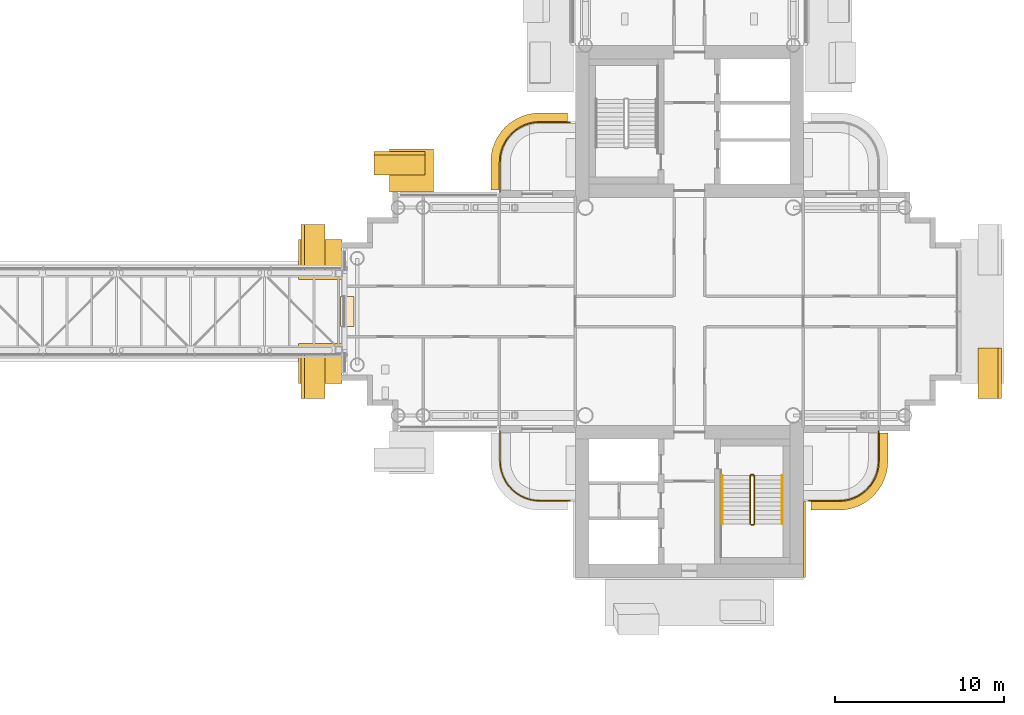
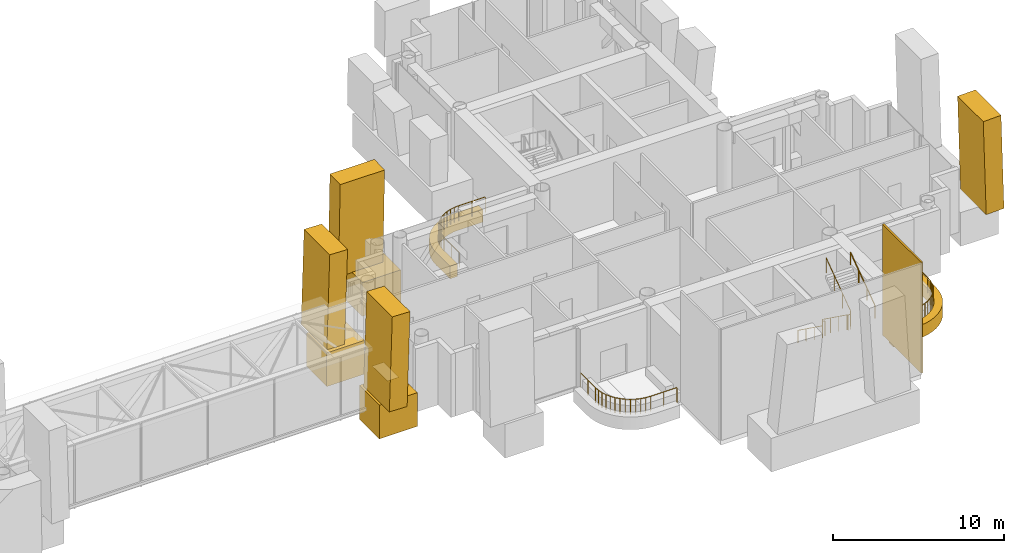
# One storey, part 24 of 26: 11 coverings, 6 railings.
"""IFC4 building model written with IfcOpenShell, lengths in metres."""

from ifc_helpers import new_model, si_unit, direction, frame, origin, origin_2d, place, context, subcontext, project, spatial, polyline, rectangle, circle, outline, extrude, material, layer, layer_set, material_profile, profile_set, type_object, element, save


model = new_model("IFC4")

# Units and contexts
model_context = context("Model", 3, precision=1e-05, world=origin(), true_north=direction((0.0, 1.0)))
body_context = subcontext(model_context, "Body", "Model", "MODEL_VIEW")
ifc_project = project(units=[si_unit("LENGTHUNIT", "METRE"), si_unit("AREAUNIT", "SQUARE_METRE"), si_unit("VOLUMEUNIT", "CUBIC_METRE"), si_unit("PLANEANGLEUNIT", "RADIAN"), si_unit("MASSUNIT", "GRAM", prefix="KILO")], contexts=[model_context])

# Site, building, storey
site_placement = place(None, origin())
site = spatial("IfcSite", under=ifc_project, at=site_placement, CompositionType="ELEMENT")
building_placement = place(site_placement, origin())
building = spatial("IfcBuilding", under=site, at=building_placement, Name="Ipe Terrace Towers", CompositionType="ELEMENT")
storey_placement = place(building_placement, frame((0.0, 0.0, 181.300048828125)))
storey = spatial("IfcBuildingStorey", under=building, at=storey_placement, Name="L50", CompositionType="ELEMENT", Elevation=181.300048828125)

# Railings
ifc_material_1 = material(Name="Stainless steel S316", Category="steel")
railing_type_1 = type_object("IfcRailingType", Name="GUARD 1100", PredefinedType="BALUSTRADE", material=ifc_material_1)
railing_1_placement = place(storey_placement, frame((24.800048828125, -7.070068359375, -0.02001953125)))
element("IfcRailing", 1, at=railing_1_placement, inside=storey, type_object=railing_type_1, Name="guard", PredefinedType="BALUSTRADE", context=body_context, shape_type="SweptSolid", body=[
    extrude(circle(Radius=0.02392578125, at=origin_2d()), frame((0.0, 0.0, 1.076171875), z_axis=(0.0, -1.0, 0.0), x_axis=(1.0, 0.0, 0.0)), (0.0, 0.0, 1.0), 1.77783203125),
    extrude(circle(Radius=0.02392578125, at=origin_2d()), frame((0.0, -1.77783203125, 1.076171875), z_axis=(0.064635492184, -0.99790894031, 0.0), x_axis=(0.99790894031, 0.064635492184, 0.0)), (0.0, 0.0, 1.0), 0.309814453125),
    extrude(circle(Radius=0.02392578125, at=origin_2d()), frame((0.02001953125, -2.0869140625, 1.076171875), z_axis=(0.194892169718, -0.980824674538, 0.0), x_axis=(0.980824674538, 0.194892169718, 0.0)), (0.0, 0.0, 1.0), 0.306884765625),
    extrude(circle(Radius=0.02392578125, at=origin_2d()), frame((0.079833984375, -2.387939453125, 1.076171875), z_axis=(0.322415209212, -0.946598348228, 0.0), x_axis=(0.946598348228, 0.322415209212, 0.0)), (0.0, 0.0, 1.0), 0.307373046875),
    extrude(circle(Radius=0.02392578125, at=origin_2d()), frame((0.178955078125, -2.678955078125, 1.076171875), z_axis=(0.44212629539, -0.896952807524, 0.0), x_axis=(0.896952807524, 0.44212629539, 0.0)), (0.0, 0.0, 1.0), 0.3076171875),
    extrude(circle(Radius=0.02392578125, at=origin_2d()), frame((0.31494140625, -2.954833984375, 1.076171875), z_axis=(0.555066120228, -0.831806228742, 0.0), x_axis=(0.831806228742, 0.555066120228, 0.0)), (0.0, 0.0, 1.0), 0.307861328125),
    extrude(circle(Radius=0.02392578125, at=origin_2d()), frame((0.48583984375, -3.2109375, 1.076171875), z_axis=(0.658617227954, -0.752478137252, 0.0), x_axis=(0.752478137252, 0.658617227954, 0.0)), (0.0, 0.0, 1.0), 0.306884765625),
    extrude(circle(Radius=0.02392578125, at=origin_2d()), frame((0.68798828125, -3.44189453125, 1.076171875), z_axis=(0.752478137252, -0.658617227954, 0.0), x_axis=(0.658617227954, 0.752478137252, 0.0)), (0.0, 0.0, 1.0), 0.306884765625),
    extrude(circle(Radius=0.02392578125, at=origin_2d()), frame((0.9189453125, -3.64404296875, 1.076171875), z_axis=(0.831806228742, -0.555066120228, 0.0), x_axis=(0.555066120228, 0.831806228742, 0.0)), (0.0, 0.0, 1.0), 0.307861328125),
    extrude(circle(Radius=0.02392578125, at=origin_2d()), frame((1.175048828125, -3.81494140625, 1.076171875), z_axis=(0.896952807524, -0.44212629539, 0.0), x_axis=(0.44212629539, 0.896952807524, 0.0)), (0.0, 0.0, 1.0), 0.3076171875),
    extrude(circle(Radius=0.02392578125, at=origin_2d()), frame((1.450927734375, -3.950927734375, 1.076171875), z_axis=(0.946598348228, -0.322415209212, 0.0), x_axis=(0.322415209212, 0.946598348228, 0.0)), (0.0, 0.0, 1.0), 0.307373046875),
    extrude(circle(Radius=0.02392578125, at=origin_2d()), frame((1.741943359375, -4.050048828125, 1.076171875), z_axis=(0.980824674538, -0.194892169718, 0.0), x_axis=(0.194892169718, 0.980824674538, 0.0)), (0.0, 0.0, 1.0), 0.306884765625),
    extrude(circle(Radius=0.02392578125, at=origin_2d()), frame((2.04296875, -4.10986328125, 1.076171875), z_axis=(0.99790894031, -0.064635492184, 0.0), x_axis=(0.064635492184, 0.99790894031, 0.0)), (0.0, 0.0, 1.0), 0.309814453125),
    extrude(circle(Radius=0.02392578125, at=origin_2d()), frame((2.35205078125, -4.1298828125, 1.076171875), z_axis=(1.0, 0.0, 0.0), x_axis=(0.0, 1.0, 0.0)), (0.0, 0.0, 1.0), 1.77783203125),
    extrude(circle(Radius=0.02099609375, at=origin_2d()), origin(), (0.0, 0.0, 1.0), 1.052001953125),
    extrude(circle(Radius=0.02099609375, at=origin_2d()), frame((0.0, -0.888916015625, 0.0)), (0.0, 0.0, 1.0), 1.052001953125),
    extrude(circle(Radius=0.02099609375, at=origin_2d()), frame((0.0, -1.77783203125, 0.0)), (0.0, 0.0, 1.0), 1.052001953125),
    extrude(circle(Radius=0.02099609375, at=origin_2d()), frame((0.02001953125, -2.0869140625, 0.0)), (0.0, 0.0, 1.0), 1.052001953125),
    extrude(circle(Radius=0.02099609375, at=origin_2d()), frame((0.079833984375, -2.387939453125, 0.0)), (0.0, 0.0, 1.0), 1.052001953125),
    extrude(circle(Radius=0.02099609375, at=origin_2d()), frame((0.178955078125, -2.678955078125, 0.0)), (0.0, 0.0, 1.0), 1.052001953125),
    extrude(circle(Radius=0.02099609375, at=origin_2d()), frame((0.31494140625, -2.954833984375, 0.0)), (0.0, 0.0, 1.0), 1.052001953125),
    extrude(circle(Radius=0.02099609375, at=origin_2d()), frame((0.48583984375, -3.2109375, 0.0)), (0.0, 0.0, 1.0), 1.052001953125),
    extrude(circle(Radius=0.02099609375, at=origin_2d()), frame((0.68798828125, -3.44189453125, 0.0)), (0.0, 0.0, 1.0), 1.052001953125),
    extrude(circle(Radius=0.02099609375, at=origin_2d()), frame((0.9189453125, -3.64404296875, 0.0)), (0.0, 0.0, 1.0), 1.052001953125),
    extrude(circle(Radius=0.02099609375, at=origin_2d()), frame((1.175048828125, -3.81494140625, 0.0)), (0.0, 0.0, 1.0), 1.052001953125),
    extrude(circle(Radius=0.02099609375, at=origin_2d()), frame((1.450927734375, -3.950927734375, 0.0)), (0.0, 0.0, 1.0), 1.052001953125),
    extrude(circle(Radius=0.02099609375, at=origin_2d()), frame((1.741943359375, -4.050048828125, 0.0)), (0.0, 0.0, 1.0), 1.052001953125),
    extrude(circle(Radius=0.02099609375, at=origin_2d()), frame((2.04296875, -4.10986328125, 0.0)), (0.0, 0.0, 1.0), 1.052001953125),
    extrude(circle(Radius=0.02099609375, at=origin_2d()), frame((2.35205078125, -4.1298828125, 0.0)), (0.0, 0.0, 1.0), 1.052001953125),
    extrude(circle(Radius=0.02099609375, at=origin_2d()), frame((3.240966796875, -4.1298828125, 0.0)), (0.0, 0.0, 1.0), 1.052001953125),
    extrude(circle(Radius=0.02099609375, at=origin_2d()), frame((4.1298828125, -4.1298828125, 0.0)), (0.0, 0.0, 1.0), 1.052001953125),
])
railing_2_placement = place(storey_placement, frame((28.929931640625, 11.199951171875, -0.02001953125)))
element("IfcRailing", 2, at=railing_2_placement, inside=storey, type_object=railing_type_1, Name="guard", PredefinedType="BALUSTRADE", context=body_context, shape_type="SweptSolid", body=[
    extrude(circle(Radius=0.02392578125, at=origin_2d()), frame((0.0, 0.0, 1.076171875), z_axis=(-1.0, 0.0, 0.0), x_axis=(0.0, -1.0, 0.0)), (0.0, 0.0, 1.0), 1.77783203125),
    extrude(circle(Radius=0.02392578125, at=origin_2d()), frame((-1.77783203125, 0.0, 1.076171875), z_axis=(-0.99790894031, -0.064635492184, 0.0), x_axis=(0.064635492184, -0.99790894031, 0.0)), (0.0, 0.0, 1.0), 0.309814453125),
    extrude(circle(Radius=0.02392578125, at=origin_2d()), frame((-2.0869140625, -0.02001953125, 1.076171875), z_axis=(-0.980824674538, -0.194892169718, 0.0), x_axis=(0.194892169718, -0.980824674538, 0.0)), (0.0, 0.0, 1.0), 0.306884765625),
    extrude(circle(Radius=0.02392578125, at=origin_2d()), frame((-2.387939453125, -0.079833984375, 1.076171875), z_axis=(-0.946598348228, -0.322415209212, 0.0), x_axis=(0.322415209212, -0.946598348228, 0.0)), (0.0, 0.0, 1.0), 0.307373046875),
    extrude(circle(Radius=0.02392578125, at=origin_2d()), frame((-2.678955078125, -0.178955078125, 1.076171875), z_axis=(-0.896952807524, -0.44212629539, 0.0), x_axis=(0.44212629539, -0.896952807524, 0.0)), (0.0, 0.0, 1.0), 0.3076171875),
    extrude(circle(Radius=0.02392578125, at=origin_2d()), frame((-2.954833984375, -0.31494140625, 1.076171875), z_axis=(-0.831806228742, -0.555066120228, 0.0), x_axis=(0.555066120228, -0.831806228742, 0.0)), (0.0, 0.0, 1.0), 0.307861328125),
    extrude(circle(Radius=0.02392578125, at=origin_2d()), frame((-3.2109375, -0.48583984375, 1.076171875), z_axis=(-0.752478137252, -0.658617227954, 0.0), x_axis=(0.658617227954, -0.752478137252, 0.0)), (0.0, 0.0, 1.0), 0.306884765625),
    extrude(circle(Radius=0.02392578125, at=origin_2d()), frame((-3.44189453125, -0.68798828125, 1.076171875), z_axis=(-0.658617227954, -0.752478137252, 0.0), x_axis=(0.752478137252, -0.658617227954, 0.0)), (0.0, 0.0, 1.0), 0.306884765625),
    extrude(circle(Radius=0.02392578125, at=origin_2d()), frame((-3.64404296875, -0.9189453125, 1.076171875), z_axis=(-0.555066120228, -0.831806228742, 0.0), x_axis=(0.831806228742, -0.555066120228, 0.0)), (0.0, 0.0, 1.0), 0.307861328125),
    extrude(circle(Radius=0.02392578125, at=origin_2d()), frame((-3.81494140625, -1.175048828125, 1.076171875), z_axis=(-0.44212629539, -0.896952807524, 0.0), x_axis=(0.896952807524, -0.44212629539, 0.0)), (0.0, 0.0, 1.0), 0.3076171875),
    extrude(circle(Radius=0.02392578125, at=origin_2d()), frame((-3.950927734375, -1.450927734375, 1.076171875), z_axis=(-0.322415209212, -0.946598348228, 0.0), x_axis=(0.946598348228, -0.322415209212, 0.0)), (0.0, 0.0, 1.0), 0.307373046875),
    extrude(circle(Radius=0.02392578125, at=origin_2d()), frame((-4.050048828125, -1.741943359375, 1.076171875), z_axis=(-0.194892169718, -0.980824674538, 0.0), x_axis=(0.980824674538, -0.194892169718, 0.0)), (0.0, 0.0, 1.0), 0.306884765625),
    extrude(circle(Radius=0.02392578125, at=origin_2d()), frame((-4.10986328125, -2.04296875, 1.076171875), z_axis=(-0.064635492184, -0.99790894031, 0.0), x_axis=(0.99790894031, -0.064635492184, 0.0)), (0.0, 0.0, 1.0), 0.309814453125),
    extrude(circle(Radius=0.02392578125, at=origin_2d()), frame((-4.1298828125, -2.35205078125, 1.076171875), z_axis=(0.0, -1.0, 0.0), x_axis=(1.0, 0.0, 0.0)), (0.0, 0.0, 1.0), 1.77783203125),
    extrude(circle(Radius=0.02099609375, at=origin_2d()), origin(), (0.0, 0.0, 1.0), 1.052001953125),
    extrude(circle(Radius=0.02099609375, at=origin_2d()), frame((-0.888916015625, 0.0, 0.0)), (0.0, 0.0, 1.0), 1.052001953125),
    extrude(circle(Radius=0.02099609375, at=origin_2d()), frame((-1.77783203125, 0.0, 0.0)), (0.0, 0.0, 1.0), 1.052001953125),
    extrude(circle(Radius=0.02099609375, at=origin_2d()), frame((-2.0869140625, -0.02001953125, 0.0)), (0.0, 0.0, 1.0), 1.052001953125),
    extrude(circle(Radius=0.02099609375, at=origin_2d()), frame((-2.387939453125, -0.079833984375, 0.0)), (0.0, 0.0, 1.0), 1.052001953125),
    extrude(circle(Radius=0.02099609375, at=origin_2d()), frame((-2.678955078125, -0.178955078125, 0.0)), (0.0, 0.0, 1.0), 1.052001953125),
    extrude(circle(Radius=0.02099609375, at=origin_2d()), frame((-2.954833984375, -0.31494140625, 0.0)), (0.0, 0.0, 1.0), 1.052001953125),
    extrude(circle(Radius=0.02099609375, at=origin_2d()), frame((-3.2109375, -0.48583984375, 0.0)), (0.0, 0.0, 1.0), 1.052001953125),
    extrude(circle(Radius=0.02099609375, at=origin_2d()), frame((-3.44189453125, -0.68798828125, 0.0)), (0.0, 0.0, 1.0), 1.052001953125),
    extrude(circle(Radius=0.02099609375, at=origin_2d()), frame((-3.64404296875, -0.9189453125, 0.0)), (0.0, 0.0, 1.0), 1.052001953125),
    extrude(circle(Radius=0.02099609375, at=origin_2d()), frame((-3.81494140625, -1.175048828125, 0.0)), (0.0, 0.0, 1.0), 1.052001953125),
    extrude(circle(Radius=0.02099609375, at=origin_2d()), frame((-3.950927734375, -1.450927734375, 0.0)), (0.0, 0.0, 1.0), 1.052001953125),
    extrude(circle(Radius=0.02099609375, at=origin_2d()), frame((-4.050048828125, -1.741943359375, 0.0)), (0.0, 0.0, 1.0), 1.052001953125),
    extrude(circle(Radius=0.02099609375, at=origin_2d()), frame((-4.10986328125, -2.04296875, 0.0)), (0.0, 0.0, 1.0), 1.052001953125),
    extrude(circle(Radius=0.02099609375, at=origin_2d()), frame((-4.1298828125, -2.35205078125, 0.0)), (0.0, 0.0, 1.0), 1.052001953125),
    extrude(circle(Radius=0.02099609375, at=origin_2d()), frame((-4.1298828125, -3.240966796875, 0.0)), (0.0, 0.0, 1.0), 1.052001953125),
    extrude(circle(Radius=0.02099609375, at=origin_2d()), frame((-4.1298828125, -4.1298828125, 0.0)), (0.0, 0.0, 1.0), 1.052001953125),
])
railing_3_placement = place(storey_placement, frame((43.070068359375, -11.199951171875, -0.02001953125)))
element("IfcRailing", 3, at=railing_3_placement, inside=storey, type_object=railing_type_1, Name="guard", PredefinedType="BALUSTRADE", context=body_context, shape_type="SweptSolid", body=[
    extrude(circle(Radius=0.02392578125, at=origin_2d()), frame((0.0, 0.0, 1.076171875), z_axis=(1.0, 0.0, 0.0), x_axis=(0.0, 1.0, 0.0)), (0.0, 0.0, 1.0), 1.77783203125),
    extrude(circle(Radius=0.02392578125, at=origin_2d()), frame((1.77783203125, 0.0, 1.076171875), z_axis=(0.99790894031, 0.064635492184, 0.0), x_axis=(-0.064635492184, 0.99790894031, 0.0)), (0.0, 0.0, 1.0), 0.309814453125),
    extrude(circle(Radius=0.02392578125, at=origin_2d()), frame((2.0869140625, 0.02001953125, 1.076171875), z_axis=(0.980824674538, 0.194892169718, 0.0), x_axis=(-0.194892169718, 0.980824674538, 0.0)), (0.0, 0.0, 1.0), 0.306884765625),
    extrude(circle(Radius=0.02392578125, at=origin_2d()), frame((2.387939453125, 0.079833984375, 1.076171875), z_axis=(0.946598348228, 0.322415209212, 0.0), x_axis=(-0.322415209212, 0.946598348228, 0.0)), (0.0, 0.0, 1.0), 0.307373046875),
    extrude(circle(Radius=0.02392578125, at=origin_2d()), frame((2.678955078125, 0.178955078125, 1.076171875), z_axis=(0.896952807524, 0.44212629539, 0.0), x_axis=(-0.44212629539, 0.896952807524, 0.0)), (0.0, 0.0, 1.0), 0.3076171875),
    extrude(circle(Radius=0.02392578125, at=origin_2d()), frame((2.954833984375, 0.31494140625, 1.076171875), z_axis=(0.831806228742, 0.555066120228, 0.0), x_axis=(-0.555066120228, 0.831806228742, 0.0)), (0.0, 0.0, 1.0), 0.307861328125),
    extrude(circle(Radius=0.02392578125, at=origin_2d()), frame((3.2109375, 0.48583984375, 1.076171875), z_axis=(0.752478137252, 0.658617227954, 0.0), x_axis=(-0.658617227954, 0.752478137252, 0.0)), (0.0, 0.0, 1.0), 0.306884765625),
    extrude(circle(Radius=0.02392578125, at=origin_2d()), frame((3.44189453125, 0.68798828125, 1.076171875), z_axis=(0.658617227954, 0.752478137252, 0.0), x_axis=(-0.752478137252, 0.658617227954, 0.0)), (0.0, 0.0, 1.0), 0.306884765625),
    extrude(circle(Radius=0.02392578125, at=origin_2d()), frame((3.64404296875, 0.9189453125, 1.076171875), z_axis=(0.555066120228, 0.831806228742, 0.0), x_axis=(-0.831806228742, 0.555066120228, 0.0)), (0.0, 0.0, 1.0), 0.307861328125),
    extrude(circle(Radius=0.02392578125, at=origin_2d()), frame((3.81494140625, 1.175048828125, 1.076171875), z_axis=(0.44212629539, 0.896952807524, 0.0), x_axis=(-0.896952807524, 0.44212629539, 0.0)), (0.0, 0.0, 1.0), 0.3076171875),
    extrude(circle(Radius=0.02392578125, at=origin_2d()), frame((3.950927734375, 1.450927734375, 1.076171875), z_axis=(0.322415209212, 0.946598348228, 0.0), x_axis=(-0.946598348228, 0.322415209212, 0.0)), (0.0, 0.0, 1.0), 0.307373046875),
    extrude(circle(Radius=0.02392578125, at=origin_2d()), frame((4.050048828125, 1.741943359375, 1.076171875), z_axis=(0.194892169718, 0.980824674538, 0.0), x_axis=(-0.980824674538, 0.194892169718, 0.0)), (0.0, 0.0, 1.0), 0.306884765625),
    extrude(circle(Radius=0.02392578125, at=origin_2d()), frame((4.10986328125, 2.04296875, 1.076171875), z_axis=(0.064635492184, 0.99790894031, 0.0), x_axis=(-0.99790894031, 0.064635492184, 0.0)), (0.0, 0.0, 1.0), 0.309814453125),
    extrude(circle(Radius=0.02392578125, at=origin_2d()), frame((4.1298828125, 2.35205078125, 1.076171875), z_axis=(0.0, 1.0, 0.0), x_axis=(-1.0, 0.0, 0.0)), (0.0, 0.0, 1.0), 1.77783203125),
    extrude(circle(Radius=0.02099609375, at=origin_2d()), origin(), (0.0, 0.0, 1.0), 1.052001953125),
    extrude(circle(Radius=0.02099609375, at=origin_2d()), frame((0.888916015625, 0.0, 0.0)), (0.0, 0.0, 1.0), 1.052001953125),
    extrude(circle(Radius=0.02099609375, at=origin_2d()), frame((1.77783203125, 0.0, 0.0)), (0.0, 0.0, 1.0), 1.052001953125),
    extrude(circle(Radius=0.02099609375, at=origin_2d()), frame((2.0869140625, 0.02001953125, 0.0)), (0.0, 0.0, 1.0), 1.052001953125),
    extrude(circle(Radius=0.02099609375, at=origin_2d()), frame((2.387939453125, 0.079833984375, 0.0)), (0.0, 0.0, 1.0), 1.052001953125),
    extrude(circle(Radius=0.02099609375, at=origin_2d()), frame((2.678955078125, 0.178955078125, 0.0)), (0.0, 0.0, 1.0), 1.052001953125),
    extrude(circle(Radius=0.02099609375, at=origin_2d()), frame((2.954833984375, 0.31494140625, 0.0)), (0.0, 0.0, 1.0), 1.052001953125),
    extrude(circle(Radius=0.02099609375, at=origin_2d()), frame((3.2109375, 0.48583984375, 0.0)), (0.0, 0.0, 1.0), 1.052001953125),
    extrude(circle(Radius=0.02099609375, at=origin_2d()), frame((3.44189453125, 0.68798828125, 0.0)), (0.0, 0.0, 1.0), 1.052001953125),
    extrude(circle(Radius=0.02099609375, at=origin_2d()), frame((3.64404296875, 0.9189453125, 0.0)), (0.0, 0.0, 1.0), 1.052001953125),
    extrude(circle(Radius=0.02099609375, at=origin_2d()), frame((3.81494140625, 1.175048828125, 0.0)), (0.0, 0.0, 1.0), 1.052001953125),
    extrude(circle(Radius=0.02099609375, at=origin_2d()), frame((3.950927734375, 1.450927734375, 0.0)), (0.0, 0.0, 1.0), 1.052001953125),
    extrude(circle(Radius=0.02099609375, at=origin_2d()), frame((4.050048828125, 1.741943359375, 0.0)), (0.0, 0.0, 1.0), 1.052001953125),
    extrude(circle(Radius=0.02099609375, at=origin_2d()), frame((4.10986328125, 2.04296875, 0.0)), (0.0, 0.0, 1.0), 1.052001953125),
    extrude(circle(Radius=0.02099609375, at=origin_2d()), frame((4.1298828125, 2.35205078125, 0.0)), (0.0, 0.0, 1.0), 1.052001953125),
    extrude(circle(Radius=0.02099609375, at=origin_2d()), frame((4.1298828125, 3.240966796875, 0.0)), (0.0, 0.0, 1.0), 1.052001953125),
    extrude(circle(Radius=0.02099609375, at=origin_2d()), frame((4.1298828125, 4.1298828125, 0.0)), (0.0, 0.0, 1.0), 1.052001953125),
])

# Coverings
ifc_material_2 = material(Name="Stainless steel S316 chequer plate", Category="steel")
ifc_layer_1 = layer(ifc_material_2, 0.011962890625)
ifc_layer_set_1 = layer_set([ifc_layer_1], Name="MOVEMENT JOINT COVER PLATE 12")
covering_type_1 = type_object("IfcCoveringType", Name="MOVEMENT JOINT COVER PLATE 12", PredefinedType="FLOORING", material=ifc_layer_set_1)
covering_1_placement = place(storey_placement, origin())
element("IfcCovering", 4, at=covering_1_placement, inside=storey, type_object=covering_type_1, Name="BR3-JC movement joint cover plate", PredefinedType="FLOORING", context=body_context, shape_type="SweptSolid", body=[
    extrude(outline(polyline([(15.35009765625, -0.89990234375), (16.14990234375, -0.89990234375), (16.14990234375, 0.89990234375), (15.35009765625, 0.89990234375), (15.35009765625, -0.89990234375)])), origin(), (0.0, 0.0, 1.0), 0.011962890625),
])
ifc_material_3 = material(Name="Concrete C50/60 precast, buff finish", Category="concrete")
ifc_layer_2 = layer(ifc_material_3, 0.1201171875)
ifc_layer_set_2 = layer_set([ifc_layer_2], Name="STONE CORE CLADDING 120")
covering_type_2 = type_object("IfcCoveringType", Name="STONE CORE CLADDING 120", PredefinedType="CLADDING", material=ifc_layer_set_2)
covering_2_placement = place(storey_placement, frame((42.81005859375, -13.5, 0.0), z_axis=(0.0, 0.0, 1.0), x_axis=(0.0, 1.0, 0.0)))
element("IfcCovering", 5, at=covering_2_placement, inside=storey, type_object=covering_type_2, Name="stone core cladding", PredefinedType="CLADDING", context=body_context, shape_type="SweptSolid", body=[
    extrude(rectangle(XDim=4.5, YDim=0.1201171875, at=origin_2d()), origin(), (0.0, 0.0, 1.0), 7.89990234375),
])
ifc_material_4 = material(Name="Concrete C50/60 precast, buff finish", Category="concrete")
ifc_layer_3 = layer(ifc_material_4, 0.5)
ifc_layer_set_3 = layer_set([ifc_layer_3], Name="STONE EDGE BAND 500 x 900")
covering_type_3 = type_object("IfcCoveringType", Name="STONE EDGE BAND 500 x 900", PredefinedType="CLADDING", material=ifc_layer_set_3)
covering_3_placement = place(storey_placement, frame((0.0, 0.0, -0.719970703125)))
element("IfcCovering", 6, at=covering_3_placement, inside=storey, type_object=covering_type_3, Name="stone edge band", PredefinedType="CLADDING", context=body_context, shape_type="SweptSolid", body=[
    extrude(outline(polyline([(24.25, 8.85009765625), (24.25, 7.199951171875), (24.75, 7.199951171875), (24.75, 8.85009765625), (24.77099609375, 9.1630859375), (24.83203125, 9.470947265625), (24.93310546875, 9.76806640625), (25.072021484375, 10.050048828125), (25.24609375, 10.31103515625), (25.452880859375, 10.547119140625), (25.68896484375, 10.75390625), (25.949951171875, 10.927978515625), (26.23193359375, 11.06689453125), (26.529052734375, 11.16796875), (26.8369140625, 11.22900390625), (27.14990234375, 11.25), (28.800048828125, 11.25), (28.800048828125, 11.75), (27.14990234375, 11.75), (27.116943359375, 11.7490234375), (26.803955078125, 11.72802734375), (26.739013671875, 11.719970703125), (26.430908203125, 11.658935546875), (26.367919921875, 11.64208984375), (26.071044921875, 11.541015625), (26.010009765625, 11.51611328125), (25.72900390625, 11.376953125), (25.672119140625, 11.343994140625), (25.410888671875, 11.169921875), (25.35888671875, 11.1298828125), (25.123046875, 10.923095703125), (25.076904296875, 10.876953125), (24.8701171875, 10.64111328125), (24.830078125, 10.589111328125), (24.656005859375, 10.327880859375), (24.623046875, 10.27099609375), (24.48388671875, 9.989990234375), (24.458984375, 9.928955078125), (24.35791015625, 9.632080078125), (24.341064453125, 9.569091796875), (24.280029296875, 9.260986328125), (24.27197265625, 9.196044921875), (24.2509765625, 8.883056640625), (24.25, 8.85009765625)])), origin(), (0.0, 0.0, 1.0), 0.89990234375),
])
covering_4_placement = place(storey_placement, frame((0.0, 0.0, -0.719970703125)))
element("IfcCovering", 7, at=covering_4_placement, inside=storey, type_object=covering_type_3, Name="stone edge band", PredefinedType="CLADDING", context=body_context, shape_type="SweptSolid", body=[
    extrude(outline(polyline([(47.75, -8.85009765625), (47.75, -7.199951171875), (47.25, -7.199951171875), (47.25, -8.85009765625), (47.22900390625, -9.1630859375), (47.16796875, -9.470947265625), (47.06689453125, -9.76806640625), (46.927978515625, -10.050048828125), (46.75390625, -10.31103515625), (46.547119140625, -10.547119140625), (46.31103515625, -10.75390625), (46.050048828125, -10.927978515625), (45.76806640625, -11.06689453125), (45.470947265625, -11.16796875), (45.1630859375, -11.22900390625), (44.85009765625, -11.25), (43.199951171875, -11.25), (43.199951171875, -11.75), (44.85009765625, -11.75), (44.883056640625, -11.7490234375), (45.196044921875, -11.72802734375), (45.260986328125, -11.719970703125), (45.569091796875, -11.658935546875), (45.632080078125, -11.64208984375), (45.928955078125, -11.541015625), (45.989990234375, -11.51611328125), (46.27099609375, -11.376953125), (46.327880859375, -11.343994140625), (46.589111328125, -11.169921875), (46.64111328125, -11.1298828125), (46.876953125, -10.923095703125), (46.923095703125, -10.876953125), (47.1298828125, -10.64111328125), (47.169921875, -10.589111328125), (47.343994140625, -10.327880859375), (47.376953125, -10.27099609375), (47.51611328125, -9.989990234375), (47.541015625, -9.928955078125), (47.64208984375, -9.632080078125), (47.658935546875, -9.569091796875), (47.719970703125, -9.260986328125), (47.72802734375, -9.196044921875), (47.7490234375, -8.883056640625), (47.75, -8.85009765625)])), origin(), (0.0, 0.0, 1.0), 0.89990234375),
])
ifc_material_5 = material(Name="Concrete C50/60 precast, buff finish", Category="concrete")
ifc_material_profile_1 = material_profile(ifc_material_5, rectangle(XDim=3.0, YDim=1.199951171875, at=origin_2d()), Name="STONE FIN CORNER 3000 x 1200")
ifc_profile_set_1 = profile_set([ifc_material_profile_1], Name="Concrete C50/60 precast, buff finish")
covering_type_4 = type_object("IfcCoveringType", Name="STONE FIN CORNER 3000 x 1200", PredefinedType="USERDEFINED", material=ifc_profile_set_1)
for number, where, z_axis, x_axis, name in (
    (8, (13.6298828125, -3.64990234375, 1.199951171875), (0.029539266711, 0.0, 0.999563620648), (0.0, -1.0, 0.0), "stone fin"),
    (9, (13.6298828125, 3.64990234375, 1.199951171875), (0.029539266711, 0.0, 0.999563620648), (0.0, -1.0, 0.0), "stone fin"),
    (10, (18.85009765625, 8.8701171875, 1.199951171875), (0.0, -0.029539266711, 0.999563620648), (-1.0, 0.0, 0.0), "stone fin"),
    (11, (53.8701171875, -3.64990234375, 1.199951171875), (-0.029539266711, 0.0, 0.999563620648), (0.0, 1.0, 0.0), "stone fin"),
):
    element("IfcCovering", number, at=place(storey_placement, frame(where, z_axis=z_axis, x_axis=x_axis)), inside=storey, type_object=covering_type_4, Name=name, ObjectType="FIN", PredefinedType="USERDEFINED", context=body_context, shape_type="SweptSolid", body=[
        extrude(rectangle(XDim=3.0, YDim=1.199951171875, at=origin_2d()), origin(), (0.0, 0.0, 1.0), 6.702880859375),
    ])
ifc_material_6 = material(Name="Concrete C50/60 precast, buff finish", Category="concrete")
ifc_material_profile_2 = material_profile(ifc_material_6, rectangle(XDim=2.56005859375, YDim=2.39990234375, at=origin_2d()), Name="STONE FIN SPANDREL 2560 x 2400")
ifc_profile_set_2 = profile_set([ifc_material_profile_2], Name="Concrete C50/60 precast, buff finish")
covering_type_5 = type_object("IfcCoveringType", Name="STONE FIN SPANDREL 2560 x 2400", PredefinedType="CLADDING", material=ifc_profile_set_2)
covering_5_placement = place(storey_placement, frame((20.85009765625, 8.340087890625, 0.0), z_axis=(-1.0, 0.0, 0.0), x_axis=(0.0, 1.0, 0.0)))
element("IfcCovering", 12, at=covering_5_placement, inside=storey, type_object=covering_type_5, Name="stone fin spandrel", PredefinedType="CLADDING", context=body_context, shape_type="SweptSolid", body=[
    extrude(rectangle(XDim=2.56005859375, YDim=2.39990234375, at=origin_2d()), origin(), (0.0, 0.0, 1.0), 2.60009765625),
])
for number, where, z_axis, x_axis, name in (
    (13, (14.159912109375, 4.25, 0.0), (0.0, -1.0, 0.0), (-1.0, 0.0, 0.0), "stone fin spandrel"),
    (14, (14.159912109375, -1.89990234375, 0.0), (0.0, -1.0, 0.0), (-1.0, 0.0, 0.0), "stone fin spandrel"),
):
    element("IfcCovering", number, at=place(storey_placement, frame(where, z_axis=z_axis, x_axis=x_axis)), inside=storey, type_object=covering_type_5, Name=name, PredefinedType="CLADDING", context=body_context, shape_type="SweptSolid", body=[
        extrude(rectangle(XDim=2.56005859375, YDim=2.39990234375, at=origin_2d()), origin(), (0.0, 0.0, 1.0), 2.35009765625),
    ])

# Railings
ifc_material_7 = material(Name="Steel S355", Category="steel")
railing_type_2 = type_object("IfcRailingType", Name="Stair guard 1100", PredefinedType="GUARDRAIL", material=ifc_material_7)
railing_4_placement = place(storey_placement, frame((39.800048828125, -9.64990234375, 0.0)))
element("IfcRailing", 15, at=railing_4_placement, inside=storey, type_object=railing_type_2, Name="L50 T2-ST2 stair guard 1", PredefinedType="GUARDRAIL", context=body_context, shape_type="SweptSolid", body=[
    extrude(circle(Radius=0.02392578125, at=origin_2d()), frame((0.0, 0.0, 1.076171875), z_axis=(-1.0, 0.0, 0.0), x_axis=(0.0, -1.0, 0.0)), (0.0, 0.0, 1.0), 0.150146484375),
    extrude(circle(Radius=0.02392578125, at=origin_2d()), frame((-0.150146484375, 0.0, 1.076171875), z_axis=(-0.248583702486, -0.249802250048, 0.935844527007), x_axis=(0.708833529934, -0.705375805398, 0.0)), (0.0, 0.0, 1.0), 0.200439453125),
    extrude(circle(Radius=0.02392578125, at=origin_2d()), frame((-0.199951171875, -0.050048828125, 1.263671875), z_axis=(0.0, -0.811100754333, 0.584906459462), x_axis=(1.0, 0.0, 0.0)), (0.0, 0.0, 1.0), 3.526123046875),
    extrude(circle(Radius=0.02392578125, at=origin_2d()), frame((-0.199951171875, -2.91015625, 3.326171875), z_axis=(0.705375805398, -0.708833529934, 0.0), x_axis=(0.708833529934, 0.705375805398, 0.0)), (0.0, 0.0, 1.0), 0.070556640625),
    extrude(circle(Radius=0.02392578125, at=origin_2d()), frame((-0.150146484375, -2.960205078125, 3.326171875), z_axis=(1.0, 0.0, 0.0), x_axis=(0.0, 1.0, 0.0)), (0.0, 0.0, 1.0), 0.150146484375),
    extrude(circle(Radius=0.02392578125, at=origin_2d()), frame((0.0, -2.960205078125, 3.326171875), z_axis=(0.249726431254, 0.249726431254, 0.935560483917), x_axis=(-0.707106781187, 0.707106781187, 0.0)), (0.0, 0.0, 1.0), 0.200439453125),
    extrude(circle(Radius=0.02392578125, at=origin_2d()), frame((0.050048828125, -2.91015625, 3.513671875), z_axis=(0.0, 0.811100754333, 0.584906459462), x_axis=(-1.0, 0.0, 0.0)), (0.0, 0.0, 1.0), 3.526123046875),
    extrude(circle(Radius=0.02099609375, at=origin_2d()), origin(), (0.0, 0.0, 1.0), 1.052001953125),
    extrude(circle(Radius=0.02099609375, at=origin_2d()), frame((-0.150146484375, 0.0, 0.0)), (0.0, 0.0, 1.0), 1.052001953125),
    extrude(circle(Radius=0.02099609375, at=origin_2d()), frame((-0.199951171875, -0.050048828125, 0.1875)), (0.0, 0.0, 1.0), 1.052001953125),
    extrude(circle(Radius=0.02099609375, at=origin_2d()), frame((-0.199951171875, -1.00341796875, 0.875)), (0.0, 0.0, 1.0), 1.052001953125),
    extrude(circle(Radius=0.02099609375, at=origin_2d()), frame((-0.199951171875, -1.956787109375, 1.5625)), (0.0, 0.0, 1.0), 1.052001953125),
    extrude(circle(Radius=0.02099609375, at=origin_2d()), frame((-0.199951171875, -2.91015625, 2.25)), (0.0, 0.0, 1.0), 1.052001953125),
    extrude(circle(Radius=0.02099609375, at=origin_2d()), frame((-0.150146484375, -2.960205078125, 2.25)), (0.0, 0.0, 1.0), 1.052001953125),
    extrude(circle(Radius=0.02099609375, at=origin_2d()), frame((0.0, -2.960205078125, 2.25)), (0.0, 0.0, 1.0), 1.052001953125),
    extrude(circle(Radius=0.02099609375, at=origin_2d()), frame((0.050048828125, -2.91015625, 2.4375)), (0.0, 0.0, 1.0), 1.052001953125),
    extrude(circle(Radius=0.02099609375, at=origin_2d()), frame((0.050048828125, -1.956787109375, 3.125)), (0.0, 0.0, 1.0), 1.052001953125),
    extrude(circle(Radius=0.02099609375, at=origin_2d()), frame((0.050048828125, -1.00341796875, 3.8125)), (0.0, 0.0, 1.0), 1.052001953125),
    extrude(circle(Radius=0.02099609375, at=origin_2d()), frame((0.050048828125, -0.050048828125, 4.5)), (0.0, 0.0, 1.0), 1.052001953125),
])
ifc_material_8 = material(Name="Stainless steel grade 304", Category="steel")
railing_type_3 = type_object("IfcRailingType", Name="Stair handrail 900", PredefinedType="HANDRAIL", material=ifc_material_8)
railing_5_placement = place(storey_placement, frame((37.949951171875, -9.699951171875, 0.1875)))
element("IfcRailing", 16, at=railing_5_placement, inside=storey, type_object=railing_type_3, Name="L50 T2-ST2 stair handrail 1", PredefinedType="HANDRAIL", context=body_context, shape_type="SweptSolid", body=[
    extrude(circle(Radius=0.02392578125, at=origin_2d()), frame((0.0, 0.0, 0.8759765625), z_axis=(0.0, -0.811100754333, 0.584906459462), x_axis=(1.0, 0.0, 0.0)), (0.0, 0.0, 1.0), 3.526123046875),
    extrude(circle(Radius=0.02099609375, at=origin_2d()), origin(), (0.0, 0.0, 1.0), 0.851806640625),
    extrude(circle(Radius=0.02099609375, at=origin_2d()), frame((0.0, -0.953369140625, 0.6875)), (0.0, 0.0, 1.0), 0.851806640625),
    extrude(circle(Radius=0.02099609375, at=origin_2d()), frame((0.0, -1.90673828125, 1.375)), (0.0, 0.0, 1.0), 0.851806640625),
    extrude(circle(Radius=0.02099609375, at=origin_2d()), frame((0.0, -2.860107421875, 2.0625)), (0.0, 0.0, 1.0), 0.851806640625),
])
railing_6_placement = place(storey_placement, frame((41.5, -12.56005859375, 2.4375)))
element("IfcRailing", 17, at=railing_6_placement, inside=storey, type_object=railing_type_3, Name="L50 T2-ST2 stair handrail 2", PredefinedType="HANDRAIL", context=body_context, shape_type="SweptSolid", body=[
    extrude(circle(Radius=0.02392578125, at=origin_2d()), frame((0.0, 0.0, 0.8759765625), z_axis=(0.0, 0.811100754333, 0.584906459462), x_axis=(-1.0, 0.0, 0.0)), (0.0, 0.0, 1.0), 3.526123046875),
    extrude(circle(Radius=0.02099609375, at=origin_2d()), origin(), (0.0, 0.0, 1.0), 0.851806640625),
    extrude(circle(Radius=0.02099609375, at=origin_2d()), frame((0.0, 0.953369140625, 0.6875)), (0.0, 0.0, 1.0), 0.851806640625),
    extrude(circle(Radius=0.02099609375, at=origin_2d()), frame((0.0, 1.90673828125, 1.375)), (0.0, 0.0, 1.0), 0.851806640625),
    extrude(circle(Radius=0.02099609375, at=origin_2d()), frame((0.0, 2.860107421875, 2.0625)), (0.0, 0.0, 1.0), 0.851806640625),
])

save(model, "model.ifc")
